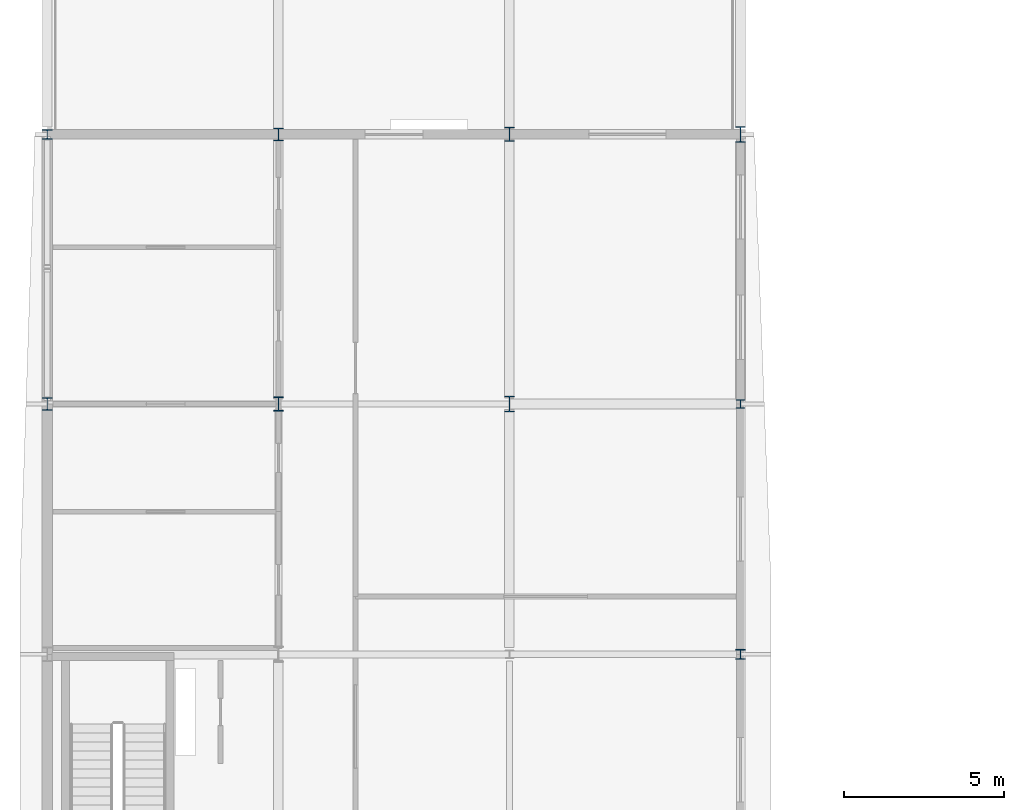
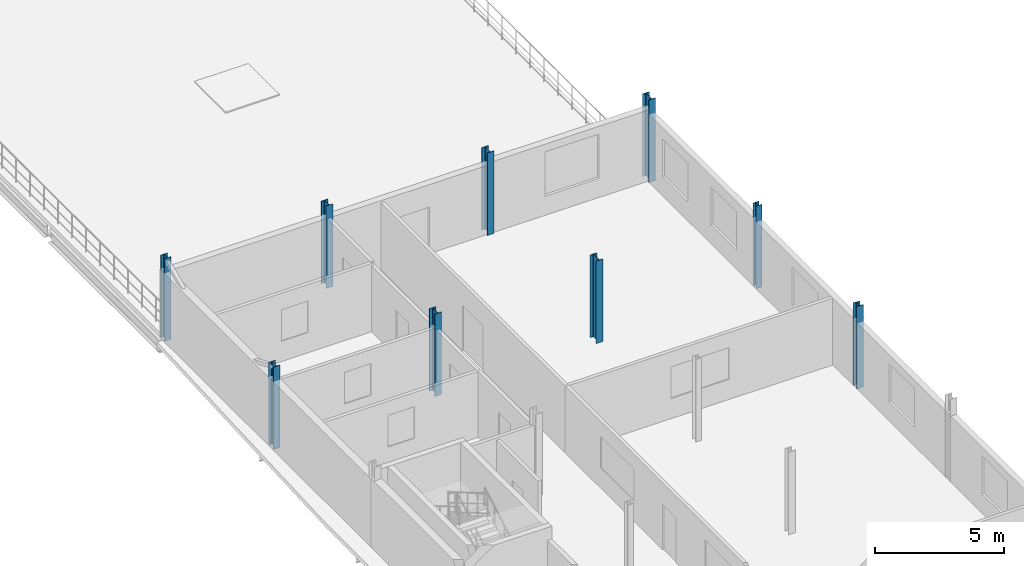
# One storey, part 3 of 17: 9 columns.
"""IFC4 building model written with IfcOpenShell, lengths in metres."""

import ifcopenshell
import ifcopenshell.guid

model = None  # the IFC model being written
_history = None  # IfcOwnerHistory: only IFC2X3 demands one
_inside = {}  # id of a spatial element -> (the spatial element, [elements in it])
_under = {}  # id of a project, library or spatial element -> (it, [spatial elements below it])
_declared = {}  # id of a project -> (the project, [libraries it declares])
_typed = {}  # id of a type object -> (the type object, [elements of that type])
_made_of = {}  # id of a material, layer set ... -> (it, [elements and type objects made of it])


def new_model(schema):
    """Start an empty IFC model of exactly this schema.

    Asked for "IFC4X3", IfcOpenShell would pick the latest addendum, in which some entities
    have other attributes; the version numbers below select the first issue.
    IFC2X3 requires an IfcOwnerHistory on every rooted entity: one is made here for all.
    """
    global model, _history
    if schema == "IFC4X3":
        model = ifcopenshell.file(schema_version=(4, 3, 0, 0))
    else:
        model = ifcopenshell.file(schema=schema)
    _inside.clear()
    _under.clear()
    _declared.clear()
    _typed.clear()
    _made_of.clear()
    _history = None
    if model.schema == "IFC2X3":
        org = make("IfcOrganization", Name="unknown")
        user = make(
            "IfcPersonAndOrganization",
            ThePerson=make("IfcPerson", FamilyName="unknown"),
            TheOrganization=org,
        )
        app = make(
            "IfcApplication",
            ApplicationDeveloper=org,
            Version="unknown",
            ApplicationFullName="unknown",
            ApplicationIdentifier="unknown",
        )
        _history = make(
            "IfcOwnerHistory",
            OwningUser=user,
            OwningApplication=app,
            ChangeAction="ADDED",
            CreationDate=0,
        )
    return model


def make(cls, **values):
    """One entity of the class cls with the attributes given. An attribute that is None is left unset."""
    return model.create_entity(
        cls, **{name: value for name, value in values.items() if value is not None}
    )


def rooted(cls, **values):
    """An entity with a GlobalId (a new one), such as an element, a storey or a relation."""
    return make(cls, GlobalId=ifcopenshell.guid.new(), OwnerHistory=_history, **values)


def si_unit(unit_type, name, prefix=None):
    """IfcSIUnit, for example si_unit("LENGTHUNIT", "METRE", prefix="MILLI")."""
    return make("IfcSIUnit", UnitType=unit_type, Prefix=prefix, Name=name)


def assignment(units):
    """IfcUnitAssignment: the units of a project."""
    return None if units is None else make("IfcUnitAssignment", Units=units)


def point(xyz):
    """IfcCartesianPoint."""
    return None if xyz is None else make("IfcCartesianPoint", Coordinates=xyz)


def direction(xyz):
    """IfcDirection."""
    return None if xyz is None else make("IfcDirection", DirectionRatios=xyz)


def frame(location, z_axis=None, x_axis=None):
    """IfcAxis2Placement3D, a coordinate frame: its origin and axes. An axis left out is left unset."""
    return make(
        "IfcAxis2Placement3D",
        Location=point(location),
        Axis=direction(z_axis),
        RefDirection=direction(x_axis),
    )


def frame_2d(location, x_axis=None):
    """IfcAxis2Placement2D, a coordinate frame in the plane: its origin and x axis."""
    return make(
        "IfcAxis2Placement2D", Location=point(location), RefDirection=direction(x_axis)
    )


def origin():
    """The frame at (0, 0, 0) with its axes left unset."""
    return frame((0.0, 0.0, 0.0))


def origin_2d():
    """The frame at (0, 0) in the plane with its x axis left unset."""
    return frame_2d((0.0, 0.0))


def place(relative_to, where):
    """IfcLocalPlacement: puts the frame where relative to a parent placement (None: the world)."""
    return make(
        "IfcLocalPlacement", PlacementRelTo=relative_to, RelativePlacement=where
    )


def context(
    kind, dimensions, precision=None, world=None, true_north=None, identifier=None
):
    """IfcGeometricRepresentationContext, for example the 3D "Model" context."""
    return make(
        "IfcGeometricRepresentationContext",
        ContextIdentifier=identifier,
        ContextType=kind,
        CoordinateSpaceDimension=dimensions,
        Precision=precision,
        WorldCoordinateSystem=world,
        TrueNorth=true_north,
    )


def subcontext(parent, identifier, kind, view, scale=None):
    """IfcGeometricRepresentationSubContext, for example "Body" below "Model"."""
    return make(
        "IfcGeometricRepresentationSubContext",
        ContextIdentifier=identifier,
        ContextType=kind,
        ParentContext=parent,
        TargetScale=scale,
        TargetView=view,
    )


def project(units=None, contexts=None):
    """IfcProject with its units and contexts."""
    return rooted(
        "IfcProject",
        Name="project",
        RepresentationContexts=contexts,
        UnitsInContext=assignment(units),
    )


def spatial(cls, under=None, at=None, **own):
    """A site, building, storey or space (cls), placed at a placement, below another one or the project."""
    s = rooted(cls, ObjectPlacement=at, **own)
    if under is not None:
        _under.setdefault(under.id(), (under, []))[1].append(s)
    return s


def profile(cls, at=None, kind="AREA", **sizes):
    """A parametric profile (cls). Its sizes go by their IFC names, for example OverallWidth=200.0."""
    return make(cls, ProfileType=kind, Position=at, **sizes)


def i_section(**sizes):
    """IfcIShapeProfileDef."""
    return profile("IfcIShapeProfileDef", **sizes)


def extrude(swept, where, along, depth):
    """IfcExtrudedAreaSolid: the profile swept, set in the frame where, extruded along a direction by depth."""
    return make(
        "IfcExtrudedAreaSolid",
        SweptArea=swept,
        Position=where,
        ExtrudedDirection=direction(along),
        Depth=depth,
    )


def shape(context_of_items, identifier, shape_type, items):
    """IfcShapeRepresentation: the items that make up one representation, for example the "Body"."""
    return make(
        "IfcShapeRepresentation",
        ContextOfItems=context_of_items,
        RepresentationIdentifier=identifier,
        RepresentationType=shape_type,
        Items=items,
    )


def material(Name=None, Category=None):
    """IfcMaterial."""
    return make("IfcMaterial", Name=Name, Category=Category)


def material_profile(
    of_material, cross_section, Name=None, Category=None, Priority=None
):
    """IfcMaterialProfile: a cross section and its material."""
    return make(
        "IfcMaterialProfile",
        Name=Name,
        Material=of_material,
        Profile=cross_section,
        Priority=Priority,
        Category=Category,
    )


def profile_set(profiles, Name=None, composite=None):
    """IfcMaterialProfileSet."""
    return make(
        "IfcMaterialProfileSet",
        Name=Name,
        MaterialProfiles=profiles,
        CompositeProfile=composite,
    )


def made_of(thing, what):
    """Note that an element or type object is made of a material, layer set ...; save() writes the relation."""
    if what is not None:
        _made_of.setdefault(what.id(), (what, []))[1].append(thing)
    return thing


def type_object(cls, material=None, **own):
    """A type object (cls), such as IfcWallType, which elements share."""
    return made_of(rooted(cls, **own), material)


def element(
    cls,
    number,
    at=None,
    inside=None,
    cuts=None,
    type_object=None,
    material=None,
    context=None,
    identifier="Body",
    shape_type=None,
    held_by="IfcProductDefinitionShape",
    body=None,
    shapes=None,
    **own,
):
    """One element of the class cls, such as IfcWall. Its Tag is "e" and its number.

    at: its placement. inside: the storey or other place that contains it. cuts: it is an
    opening in that element (IfcRelVoidsElement). A single representation is given by context,
    identifier, shape_type and body (its items); several are given by shapes. held_by: the class
    of the entity that holds the representations. save() writes the other relations.
    """
    e = rooted(cls, Tag="e%d" % number, ObjectPlacement=at, **own)
    if body is not None:
        shapes = [shape(context, identifier, shape_type, body)]
    if shapes is not None:
        e.Representation = make(held_by, Representations=shapes)
    if inside is not None:
        _inside.setdefault(inside.id(), (inside, []))[1].append(e)
    if cuts is not None:
        rooted(
            "IfcRelVoidsElement", RelatingBuildingElement=cuts, RelatedOpeningElement=e
        )
    if type_object is not None:
        _typed.setdefault(type_object.id(), (type_object, []))[1].append(e)
    return made_of(e, material)


def aggregate(whole, parts):
    """IfcRelAggregates: a whole, such as a stair, and the parts it consists of."""
    return rooted("IfcRelAggregates", RelatingObject=whole, RelatedObjects=parts)


def save(model, path):
    """Write the relations noted so far, then the file.

    IfcRelAggregates (storeys below a building ...), IfcRelContainedInSpatialStructure (elements
    in a storey), IfcRelDefinesByType, IfcRelAssociatesMaterial and IfcRelDeclares: one each for
    every whole, place, type object, material and project.
    """
    for whole, parts in _under.values():
        aggregate(whole, parts)
    for where, things in _inside.values():
        rooted(
            "IfcRelContainedInSpatialStructure",
            RelatedElements=things,
            RelatingStructure=where,
        )
    for kind, things in _typed.values():
        rooted("IfcRelDefinesByType", RelatedObjects=things, RelatingType=kind)
    for what, things in _made_of.values():
        rooted("IfcRelAssociatesMaterial", RelatedObjects=things, RelatingMaterial=what)
    for by, libraries in _declared.values():
        rooted("IfcRelDeclares", RelatingContext=by, RelatedDefinitions=libraries)
    model.write(path)


model = new_model("IFC4")

# Units and contexts
model_context = context("Model", 3, precision=1e-05, world=origin(), true_north=direction((0.0, 1.0)))
body_context = subcontext(model_context, "Body", "Model", "MODEL_VIEW")
ifc_project = project(units=[si_unit("LENGTHUNIT", "METRE"), si_unit("AREAUNIT", "SQUARE_METRE"), si_unit("VOLUMEUNIT", "CUBIC_METRE"), si_unit("PLANEANGLEUNIT", "RADIAN"), si_unit("MASSUNIT", "GRAM", prefix="KILO")], contexts=[model_context])

# Site, building, storey
site_placement = place(None, origin())
site = spatial("IfcSite", under=ifc_project, at=site_placement, CompositionType="ELEMENT")
building_placement = place(site_placement, origin())
building = spatial("IfcBuilding", under=site, at=building_placement, Name="Vinh Khe Railworks Police Headquarters", CompositionType="ELEMENT")
storey_placement = place(building_placement, frame((0.0, 0.0, 24.89990234375)))
storey = spatial("IfcBuildingStorey", under=building, at=storey_placement, Name="L06", CompositionType="ELEMENT", Elevation=24.89990234375)

# Columns
ifc_material = material(Name="Steel S355JR", Category="steel")
ifc_material_profile_1 = material_profile(ifc_material, i_section(OverallWidth=0.300048828125, OverallDepth=0.389892578125, WebThickness=0.010986328125, FlangeThickness=0.01904296875, FilletRadius=0.027099609375, at=origin_2d()), Name="HEA 400")
ifc_profile_set_1 = profile_set([ifc_material_profile_1], Name="Steel S355JR")
column_type_1 = type_object("IfcColumnType", Name="Steel Column HEA 400", PredefinedType="COLUMN", material=ifc_profile_set_1)
for number, where, z_axis, x_axis, name in (
    (1, (0.60009765625, 96.0, 0.0), (0.0, 0.0, 1.0), (1.0, 0.0, 0.0), "Column COL-L06-SC-15-0134"),
    (2, (7.800048828125, 104.39990234375, 0.0), (0.0, 0.0, 1.0), (1.0, 0.0, 0.0), "Column COL-L06-SC-15-0311"),
):
    element("IfcColumn", number, at=place(storey_placement, frame(where, z_axis=z_axis, x_axis=x_axis)), inside=storey, type_object=column_type_1, Name=name, PredefinedType="COLUMN", context=body_context, shape_type="SweptSolid", body=[
        extrude(i_section(OverallWidth=0.300048828125, OverallDepth=0.389892578125, WebThickness=0.010986328125, FlangeThickness=0.01904296875, FilletRadius=0.027099609375, at=origin_2d()), origin(), (0.0, 0.0, 1.0), 3.900146484375),
    ])
ifc_material_profile_2 = material_profile(ifc_material, i_section(OverallWidth=0.300048828125, OverallDepth=0.43994140625, WebThickness=0.011474609375, FlangeThickness=0.02099609375, FilletRadius=0.027099609375, at=origin_2d()), Name="HEA 450")
ifc_profile_set_2 = profile_set([ifc_material_profile_2], Name="Steel S355JR")
column_type_2 = type_object("IfcColumnType", Name="Steel Column HEA 450", PredefinedType="COLUMN", material=ifc_profile_set_2)
for number, where, z_axis, x_axis, name in (
    (3, (7.800048828125, 96.0, 0.0), (0.0, 0.0, 1.0), (1.0, 0.0, 0.0), "Column COL-L06-SC-14-0301"),
    (4, (15.0, 104.39990234375, 0.0), (0.0, 0.0, 1.0), (1.0, 0.0, 0.0), "Column COL-L06-SC-14-0478"),
):
    element("IfcColumn", number, at=place(storey_placement, frame(where, z_axis=z_axis, x_axis=x_axis)), inside=storey, type_object=column_type_2, Name=name, PredefinedType="COLUMN", context=body_context, shape_type="SweptSolid", body=[
        extrude(i_section(OverallWidth=0.300048828125, OverallDepth=0.43994140625, WebThickness=0.011474609375, FlangeThickness=0.02099609375, FilletRadius=0.027099609375, at=origin_2d()), origin(), (0.0, 0.0, 1.0), 3.900146484375),
    ])
ifc_material_profile_3 = material_profile(ifc_material, i_section(OverallWidth=0.300048828125, OverallDepth=0.489990234375, WebThickness=0.011962890625, FlangeThickness=0.02294921875, FilletRadius=0.027099609375, at=origin_2d()), Name="HEA 500")
ifc_profile_set_3 = profile_set([ifc_material_profile_3], Name="Steel S355JR")
column_type_3 = type_object("IfcColumnType", Name="Steel Column HEA 500", PredefinedType="COLUMN", material=ifc_profile_set_3)
for number, where, z_axis, x_axis, name in (
    (5, (15.0, 96.0, 0.0), (0.0, 0.0, 1.0), (1.0, 0.0, 0.0), "Column COL-L06-SC-13-0468"),
    (6, (22.199951171875, 104.39990234375, 0.0), (0.0, 0.0, 1.0), (1.0, 0.0, 0.0), "Column COL-L06-SC-13-0632"),
):
    element("IfcColumn", number, at=place(storey_placement, frame(where, z_axis=z_axis, x_axis=x_axis)), inside=storey, type_object=column_type_3, Name=name, PredefinedType="COLUMN", context=body_context, shape_type="SweptSolid", body=[
        extrude(i_section(OverallWidth=0.300048828125, OverallDepth=0.489990234375, WebThickness=0.011962890625, FlangeThickness=0.02294921875, FilletRadius=0.027099609375, at=origin_2d()), origin(), (0.0, 0.0, 1.0), 3.900146484375),
    ])
ifc_material_profile_4 = material_profile(ifc_material, i_section(OverallWidth=0.260009765625, OverallDepth=0.260009765625, WebThickness=0.010009765625, FlangeThickness=0.017578125, FilletRadius=0.02392578125, at=origin_2d()), Name="HEB 260")
ifc_profile_set_4 = profile_set([ifc_material_profile_4], Name="Steel S355JR")
column_type_4 = type_object("IfcColumnType", Name="Steel Column HEB 260", PredefinedType="COLUMN", material=ifc_profile_set_4)
column_placement = place(storey_placement, frame((22.199951171875, 96.0, 0.0), z_axis=(0.0, 0.0, 1.0), x_axis=(1.0, 0.0, 0.0)))
element("IfcColumn", 7, at=column_placement, inside=storey, type_object=column_type_4, Name="Column COL-L06-SC-12-0623", PredefinedType="COLUMN", context=body_context, shape_type="SweptSolid", body=[
    extrude(i_section(OverallWidth=0.260009765625, OverallDepth=0.260009765625, WebThickness=0.010009765625, FlangeThickness=0.017578125, FilletRadius=0.02392578125, at=origin_2d()), origin(), (0.0, 0.0, 1.0), 3.900146484375),
])
ifc_material_profile_5 = material_profile(ifc_material, i_section(OverallWidth=0.300048828125, OverallDepth=0.300048828125, WebThickness=0.010986328125, FlangeThickness=0.01904296875, FilletRadius=0.027099609375, at=origin_2d()), Name="HEB 300")
ifc_profile_set_5 = profile_set([ifc_material_profile_5], Name="Steel S355JR")
column_type_5 = type_object("IfcColumnType", Name="Steel Column HEB 300", PredefinedType="COLUMN", material=ifc_profile_set_5)
for number, where, z_axis, x_axis, name in (
    (8, (0.60009765625, 104.39990234375, 0.0), (0.0, 0.0, 1.0), (1.0, 0.0, 0.0), "Column COL-L06-SC-11-0144"),
    (9, (22.199951171875, 88.199951171875, 0.0), (0.0, 0.0, 1.0), (1.0, 0.0, 0.0), "Column COL-L06-SC-11-0614"),
):
    element("IfcColumn", number, at=place(storey_placement, frame(where, z_axis=z_axis, x_axis=x_axis)), inside=storey, type_object=column_type_5, Name=name, PredefinedType="COLUMN", context=body_context, shape_type="SweptSolid", body=[
        extrude(i_section(OverallWidth=0.300048828125, OverallDepth=0.300048828125, WebThickness=0.010986328125, FlangeThickness=0.01904296875, FilletRadius=0.027099609375, at=origin_2d()), origin(), (0.0, 0.0, 1.0), 3.900146484375),
    ])

save(model, "model.ifc")
